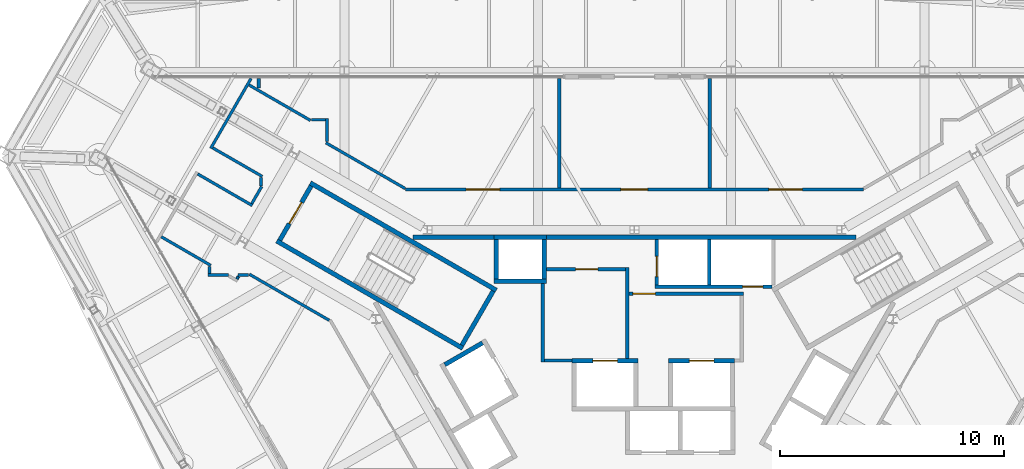
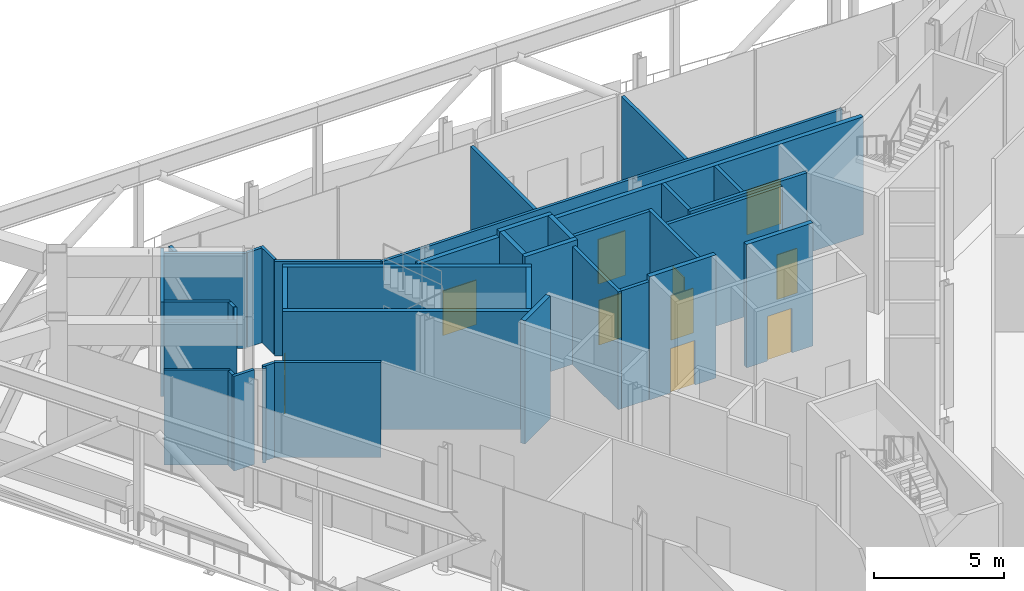
# One storey, part 16 of 24: 40 walls, 10 doors, 10 openings.
"""IFC4 building model written with IfcOpenShell, lengths in metres."""

from ifc_helpers import new_model, si_unit, direction, frame, frame_2d, origin, place, context, subcontext, project, spatial, rectangle, extrude, material, layer, layer_set, type_object, element, fill, save


model = new_model("IFC4")

# Units and contexts
model_context = context("Model", 3, precision=1e-05, world=origin(), true_north=direction((0.0, 1.0)))
body_context = subcontext(model_context, "Body", "Model", "MODEL_VIEW")
ifc_project = project(units=[si_unit("LENGTHUNIT", "METRE"), si_unit("AREAUNIT", "SQUARE_METRE"), si_unit("VOLUMEUNIT", "CUBIC_METRE"), si_unit("PLANEANGLEUNIT", "RADIAN"), si_unit("MASSUNIT", "GRAM", prefix="KILO")], contexts=[model_context])

# Site, building, storey
site_placement = place(None, origin())
site = spatial("IfcSite", under=ifc_project, at=site_placement, CompositionType="ELEMENT")
building_placement = place(site_placement, origin())
building = spatial("IfcBuilding", under=site, at=building_placement, Name="Verrane Prism Tower", CompositionType="ELEMENT")
storey_placement = place(building_placement, frame((0.0, 0.0, 200.60009765625)))
storey = spatial("IfcBuildingStorey", under=building, at=storey_placement, Name="L50", CompositionType="ELEMENT", Elevation=200.60009765625)

# Walls
ifc_material_1 = material(Name="Gypsum board partition", Category="other")
ifc_layer_1 = layer(ifc_material_1, 0.199951171875)
ifc_layer_set_1 = layer_set([ifc_layer_1], Name="CW-200 core boundary wall 2 h")
wall_type_1 = type_object("IfcWallType", Name="CW-200 core boundary wall 2 h", PredefinedType="PARTITIONING", material=ifc_layer_set_1)
wall_1_placement = place(storey_placement, frame((-9.907958984375, 7.659912109375, 0.0), z_axis=(0.0, 0.0, 1.0), x_axis=(1.0, 0.0, 0.0)))
element("IfcWall", 1, at=wall_1_placement, inside=storey, type_object=wall_type_1, Name="Core boundary wall CW3-002", PredefinedType="PARTITIONING", context=body_context, shape_type="SweptSolid", body=[
    extrude(rectangle(XDim=3.620849609375, YDim=0.199951171875, at=frame_2d((1.810546875, 0.0))), origin(), (0.0, 0.0, 1.0), 5.5498046875),
])
wall_2_placement = place(storey_placement, frame((-3.93310546875, 7.659912109375, 0.0), z_axis=(0.0, 0.0, 1.0), x_axis=(1.0, 0.0, 0.0)))
element("IfcWall", 2, at=wall_2_placement, inside=storey, type_object=wall_type_1, Name="Core boundary wall CW3-005", PredefinedType="PARTITIONING", context=body_context, shape_type="SweptSolid", body=[
    extrude(rectangle(XDim=13.841064453125, YDim=0.199951171875, at=frame_2d((6.92041015625, 0.0))), origin(), (0.0, 0.0, 1.0), 5.5498046875),
])

# Wall, opening, door
ifc_material_2 = material(Name="Concrete C40/50", Category="concrete")
ifc_layer_2 = layer(ifc_material_2, 0.199951171875)
ifc_layer_set_2 = layer_set([ifc_layer_2], Name="CW-200 stair core wall concrete C40/50 3 h")
wall_type_2 = type_object("IfcWallType", Name="CW-200 stair core wall concrete C40/50 3 h", PredefinedType="PARTITIONING", material=ifc_layer_set_2)
wall_3_placement = place(storey_placement, frame((-14.455322265625, 9.96240234375, 0.0), z_axis=(0.0, 0.0, 1.0), x_axis=(-0.500049511043, -0.865996816683, 0.0)))
wall_3 = element("IfcWall", 3, at=wall_3_placement, inside=storey, type_object=wall_type_2, Name="Stair 2 enclosure wall", PredefinedType="PARTITIONING", context=body_context, shape_type="SweptSolid", body=[
    extrude(rectangle(XDim=2.800048828125, YDim=0.199951171875, at=frame_2d((1.39990234375, 0.0))), origin(), (0.0, 0.0, 1.0), 5.5498046875),
])
opening_1_placement = place(wall_3_placement, frame((0.849853515625, 0.0, 0.0)))
opening_1 = element("IfcOpeningElement", 4, at=opening_1_placement, cuts=wall_3, Name="Opening D50501", PredefinedType="OPENING", context=body_context, shape_type="SweptSolid", body=[
    extrude(rectangle(XDim=1.10009765625, YDim=2.10009765625, at=frame_2d((0.550048828125, 1.050048828125))), frame((0.0, 0.10986328125, 0.0), z_axis=(0.0, -1.0, 0.0), x_axis=(1.0, 0.0, 0.0)), (0.0, 0.0, 1.0), 0.219970703125),
])
ifc_material_3 = material(Name="Timber veneered door leaf", Category="wood")
door_type_1 = type_object("IfcDoorType", Name="DR-1100x2100 FD90 single leaf stair", OperationType="NOTDEFINED", PredefinedType="DOOR", material=ifc_material_3)
door_1_placement = place(opening_1_placement, origin())
door_1 = element("IfcDoor", 5, at=door_1_placement, inside=storey, type_object=door_type_1, Name="Stair 2 door", OperationType="SINGLE_SWING_RIGHT", OverallHeight=2.10009765625, OverallWidth=1.10009765625, PredefinedType="DOOR", context=body_context, shape_type="SweptSolid", body=[
    extrude(rectangle(XDim=1.10009765625, YDim=2.10009765625, at=frame_2d((0.550048828125, 1.050048828125))), frame((0.0, 0.02490234375, 0.0), z_axis=(0.0, -1.0, 0.0), x_axis=(1.0, 0.0, 0.0)), (0.0, 0.0, 1.0), 0.050048828125),
])
fill(opening_1, door_1)

# Walls
for number, where, z_axis, x_axis, name in (
    (6, (-7.67822265625, 2.700927734375, 0.0), (0.0, 0.0, 1.0), (-0.866019993635, 0.500009370536, 0.0), "Stair 2 enclosure wall"),
    (7, (-6.17822265625, 5.299072265625, 0.0), (0.0, 0.0, 1.0), (-0.866019993635, 0.500009370536, 0.0), "Stair 2 enclosure wall"),
):
    element("IfcWall", number, at=place(storey_placement, frame(where, z_axis=z_axis, x_axis=x_axis)), inside=storey, type_object=wall_type_2, Name=name, PredefinedType="PARTITIONING", context=body_context, shape_type="SweptSolid", body=[
        extrude(rectangle(XDim=9.599853515625, YDim=0.199951171875, at=frame_2d((4.7998046875, 0.0))), origin(), (0.0, 0.0, 1.0), 5.5498046875),
    ])
wall_4_placement = place(storey_placement, frame((-6.314697265625, 5.262451171875, 0.0), z_axis=(0.0, 0.0, 1.0), x_axis=(-0.500049511043, -0.865996816683, 0.0)))
element("IfcWall", 8, at=wall_4_placement, inside=storey, type_object=wall_type_2, Name="Stair 2 enclosure wall", PredefinedType="PARTITIONING", context=body_context, shape_type="SweptSolid", body=[
    extrude(rectangle(XDim=2.800048828125, YDim=0.199951171875, at=frame_2d((1.39990234375, 0.0))), origin(), (0.0, 0.0, 1.0), 5.5498046875),
])

# Wall, opening, door
ifc_material_4 = material(Name="Gypsum board shaft wall assembly", Category="other")
ifc_layer_3 = layer(ifc_material_4, 0.199951171875)
ifc_layer_set_3 = layer_set([ifc_layer_3], Name="HW-200 lift shaft wall 2 h")
wall_type_3 = type_object("IfcWallType", Name="HW-200 lift shaft wall 2 h", PredefinedType="PARTITIONING", material=ifc_layer_set_3)
wall_5_placement = place(storey_placement, frame((-2.784912109375, 2.14990234375, 0.0), z_axis=(0.0, 0.0, 1.0), x_axis=(1.0, 0.0, 0.0)))
wall_5 = element("IfcWall", 9, at=wall_5_placement, inside=storey, type_object=wall_type_3, Name="Lift shaft wall", PredefinedType="PARTITIONING", context=body_context, shape_type="SweptSolid", body=[
    extrude(rectangle(XDim=2.949951171875, YDim=0.199951171875, at=frame_2d((1.47509765625, 0.0))), origin(), (0.0, 0.0, 1.0), 5.7998046875),
])
opening_2_placement = place(wall_5_placement, frame((0.925048828125, 0.0, 0.0)))
opening_2 = element("IfcOpeningElement", 10, at=opening_2_placement, cuts=wall_5, Name="Opening D50507", PredefinedType="OPENING", context=body_context, shape_type="SweptSolid", body=[
    extrude(rectangle(XDim=1.10009765625, YDim=2.10009765625, at=frame_2d((0.550048828125, 1.050048828125))), frame((0.0, 0.10986328125, 0.0), z_axis=(0.0, -1.0, 0.0), x_axis=(1.0, 0.0, 0.0)), (0.0, 0.0, 1.0), 0.219970703125),
])
ifc_material_5 = material(Name="Stainless steel sliding landing door", Category="steel")
door_type_2 = type_object("IfcDoorType", Name="LD-1100x2100 lift landing door FD90 sliding", OperationType="NOTDEFINED", PredefinedType="DOOR", material=ifc_material_5)
door_2_placement = place(opening_2_placement, origin())
door_2 = element("IfcDoor", 11, at=door_2_placement, inside=storey, type_object=door_type_2, Name="Fire service lift 1 landing door", OperationType="SLIDING_TO_LEFT", OverallHeight=2.10009765625, OverallWidth=1.10009765625, PredefinedType="DOOR", context=body_context, shape_type="SweptSolid", body=[
    extrude(rectangle(XDim=1.10009765625, YDim=2.10009765625, at=frame_2d((0.550048828125, 1.050048828125))), frame((0.0, 0.02490234375, 0.0), z_axis=(0.0, -1.0, 0.0), x_axis=(1.0, 0.0, 0.0)), (0.0, 0.0, 1.0), 0.050048828125),
])
fill(opening_2, door_2)

wall_6_placement = place(storey_placement, frame((1.52490234375, 2.14990234375, 0.0), z_axis=(0.0, 0.0, 1.0), x_axis=(1.0, 0.0, 0.0)))
wall_6 = element("IfcWall", 12, at=wall_6_placement, inside=storey, type_object=wall_type_3, Name="Lift shaft wall", PredefinedType="PARTITIONING", context=body_context, shape_type="SweptSolid", body=[
    extrude(rectangle(XDim=2.9501953125, YDim=0.199951171875, at=frame_2d((1.47509765625, 0.0))), origin(), (0.0, 0.0, 1.0), 5.7998046875),
])
opening_3_placement = place(wall_6_placement, frame((0.925048828125, 0.0, 0.0)))
opening_3 = element("IfcOpeningElement", 13, at=opening_3_placement, cuts=wall_6, Name="Opening D50508", PredefinedType="OPENING", context=body_context, shape_type="SweptSolid", body=[
    extrude(rectangle(XDim=1.10009765625, YDim=2.10009765625, at=frame_2d((0.550048828125, 1.050048828125))), frame((0.0, 0.10986328125, 0.0), z_axis=(0.0, -1.0, 0.0), x_axis=(1.0, 0.0, 0.0)), (0.0, 0.0, 1.0), 0.219970703125),
])
door_3_placement = place(opening_3_placement, origin())
door_3 = element("IfcDoor", 14, at=door_3_placement, inside=storey, type_object=door_type_2, Name="Fire service lift 2 landing door", OperationType="SLIDING_TO_RIGHT", OverallHeight=2.10009765625, OverallWidth=1.10009765625, PredefinedType="DOOR", context=body_context, shape_type="SweptSolid", body=[
    extrude(rectangle(XDim=1.10009765625, YDim=2.10009765625, at=frame_2d((0.550048828125, 1.050048828125))), frame((0.0, 0.02490234375, 0.0), z_axis=(0.0, -1.0, 0.0), x_axis=(1.0, 0.0, 0.0)), (0.0, 0.0, 1.0), 0.050048828125),
])
fill(opening_3, door_3)

# Walls
for number, where, z_axis, x_axis, name in (
    (15, (-6.284912109375, 5.7099609375, 0.0), (0.0, 0.0, 1.0), (1.0, 0.0, 0.0), "Lift shaft wall"),
    (16, (-6.284912109375, 7.659912109375, 0.0), (0.0, 0.0, 1.0), (1.0, 0.0, 0.0), "Lift shaft wall"),
):
    element("IfcWall", number, at=place(storey_placement, frame(where, z_axis=z_axis, x_axis=x_axis)), inside=storey, type_object=wall_type_3, Name=name, PredefinedType="PARTITIONING", context=body_context, shape_type="SweptSolid", body=[
        extrude(rectangle(XDim=2.349853515625, YDim=0.199951171875, at=frame_2d((1.1748046875, 0.0))), origin(), (0.0, 0.0, 1.0), 5.7998046875),
    ])
wall_7_placement = place(storey_placement, frame((-8.48046875, 1.968505859375, 0.0), z_axis=(0.0, 0.0, 1.0), x_axis=(0.866000020948, 0.500043961785, 0.0)))
element("IfcWall", 17, at=wall_7_placement, inside=storey, type_object=wall_type_3, Name="Lift shaft wall", PredefinedType="PARTITIONING", context=body_context, shape_type="SweptSolid", body=[
    extrude(rectangle(XDim=1.949951171875, YDim=0.199951171875, at=frame_2d((0.97509765625, 0.0))), origin(), (0.0, 0.0, 1.0), 5.7998046875),
])
for number, where, z_axis, x_axis, name in (
    (18, (-4.034912109375, 5.81005859375, 0.0), (0.0, 0.0, 1.0), (0.0, 1.0, 0.0), "Lift shaft wall"),
    (19, (-6.18505859375, 5.81005859375, 0.0), (0.0, 0.0, 1.0), (0.0, 1.0, 0.0), "Lift shaft wall"),
):
    element("IfcWall", number, at=place(storey_placement, frame(where, z_axis=z_axis, x_axis=x_axis)), inside=storey, type_object=wall_type_3, Name=name, PredefinedType="PARTITIONING", context=body_context, shape_type="SweptSolid", body=[
        extrude(rectangle(XDim=1.75, YDim=0.199951171875, at=frame_2d((0.875, 0.0))), origin(), (0.0, 0.0, 1.0), 5.7998046875),
    ])
ifc_material_6 = material(Name="Gypsum board partition", Category="other")
ifc_layer_4 = layer(ifc_material_6, 0.14990234375)
ifc_layer_set_4 = layer_set([ifc_layer_4], Name="LF-150 firefighting lobby wall 1 h")
wall_type_4 = type_object("IfcWallType", Name="LF-150 firefighting lobby wall 1 h", PredefinedType="PARTITIONING", material=ifc_layer_set_4)
wall_8_placement = place(storey_placement, frame((-4.10009765625, 2.0849609375, 0.0), z_axis=(0.0, 0.0, 1.0), x_axis=(0.0, 1.0, 0.0)))
element("IfcWall", 20, at=wall_8_placement, inside=storey, type_object=wall_type_4, Name="Firefighting lobby wall LF1-001", PredefinedType="PARTITIONING", context=body_context, shape_type="SweptSolid", body=[
    extrude(rectangle(XDim=3.52294921875, YDim=0.14990234375, at=frame_2d((1.761474609375, 0.0))), origin(), (0.0, 0.0, 1.0), 5.5498046875),
])
wall_9_placement = place(storey_placement, frame((-4.02490234375, 2.159912109375, 0.0), z_axis=(0.0, 0.0, 1.0), x_axis=(1.0, 0.0, 0.0)))
element("IfcWall", 21, at=wall_9_placement, inside=storey, type_object=wall_type_4, Name="Firefighting lobby wall LF1-002", PredefinedType="PARTITIONING", context=body_context, shape_type="SweptSolid", body=[
    extrude(rectangle(XDim=1.23779296875, YDim=0.14990234375, at=frame_2d((0.618896484375, 0.0))), origin(), (0.0, 0.0, 1.0), 5.5498046875),
])

# Wall, opening, door
wall_10_placement = place(storey_placement, frame((-3.93310546875, 6.239990234375, 0.0), z_axis=(0.0, 0.0, 1.0), x_axis=(1.0, 0.0, 0.0)))
wall_10 = element("IfcWall", 22, at=wall_10_placement, inside=storey, type_object=wall_type_4, Name="Firefighting lobby wall LF1-003", PredefinedType="PARTITIONING", context=body_context, shape_type="SweptSolid", body=[
    extrude(rectangle(XDim=3.5380859375, YDim=0.14990234375, at=frame_2d((1.76904296875, 0.0))), origin(), (0.0, 0.0, 1.0), 5.5498046875),
])
opening_4_placement = place(wall_10_placement, frame((1.300048828125, 0.0, 0.0)))
opening_4 = element("IfcOpeningElement", 23, at=opening_4_placement, cuts=wall_10, Name="Opening D50511", PredefinedType="OPENING", context=body_context, shape_type="SweptSolid", body=[
    extrude(rectangle(XDim=1.0, YDim=2.10009765625, at=frame_2d((0.5, 1.050048828125))), frame((0.0, 0.0849609375, 0.0), z_axis=(0.0, -1.0, 0.0), x_axis=(1.0, 0.0, 0.0)), (0.0, 0.0, 1.0), 0.169921875),
])
ifc_material_7 = material(Name="Timber veneered door leaf", Category="wood")
door_type_3 = type_object("IfcDoorType", Name="DR-1000x2100 FD60 single leaf firefighting lobby", OperationType="NOTDEFINED", PredefinedType="DOOR", material=ifc_material_7)
door_4_placement = place(opening_4_placement, origin())
door_4 = element("IfcDoor", 24, at=door_4_placement, inside=storey, type_object=door_type_3, Name="Firefighting lobby door D50511", OperationType="SINGLE_SWING_LEFT", OverallHeight=2.10009765625, OverallWidth=1.0, PredefinedType="DOOR", context=body_context, shape_type="SweptSolid", body=[
    extrude(rectangle(XDim=1.0, YDim=2.10009765625, at=frame_2d((0.5, 1.050048828125))), frame((0.0, 0.02490234375, 0.0), z_axis=(0.0, -1.0, 0.0), x_axis=(1.0, 0.0, 0.0)), (0.0, 0.0, 1.0), 0.050048828125),
])
fill(opening_4, door_4)

# Wall
wall_11_placement = place(storey_placement, frame((-0.320068359375, 2.251953125, 0.0), z_axis=(0.0, 0.0, 1.0), x_axis=(0.0, 1.0, 0.0)))
element("IfcWall", 25, at=wall_11_placement, inside=storey, type_object=wall_type_4, Name="Firefighting lobby wall LF1-004", PredefinedType="PARTITIONING", context=body_context, shape_type="SweptSolid", body=[
    extrude(rectangle(XDim=4.06298828125, YDim=0.14990234375, at=frame_2d((2.031494140625, 0.0))), origin(), (0.0, 0.0, 1.0), 5.5498046875),
])

# Wall, opening, door
wall_12_placement = place(storey_placement, frame((-0.2451171875, 5.139892578125, 0.0), z_axis=(0.0, 0.0, 1.0), x_axis=(1.0, 0.0, 0.0)))
wall_12 = element("IfcWall", 26, at=wall_12_placement, inside=storey, type_object=wall_type_4, Name="Firefighting lobby wall LF1-005", PredefinedType="PARTITIONING", context=body_context, shape_type="SweptSolid", body=[
    extrude(rectangle(XDim=5.110107421875, YDim=0.14990234375, at=frame_2d((2.55517578125, 0.0))), origin(), (0.0, 0.0, 1.0), 5.5498046875),
])
opening_5_placement = place(wall_12_placement, frame((0.175048828125, 0.0, 0.0)))
opening_5 = element("IfcOpeningElement", 27, at=opening_5_placement, cuts=wall_12, Name="Opening D50513", PredefinedType="OPENING", context=body_context, shape_type="SweptSolid", body=[
    extrude(rectangle(XDim=1.0, YDim=2.10009765625, at=frame_2d((0.5, 1.050048828125))), frame((0.0, 0.0849609375, 0.0), z_axis=(0.0, -1.0, 0.0), x_axis=(1.0, 0.0, 0.0)), (0.0, 0.0, 1.0), 0.169921875),
])
door_5_placement = place(opening_5_placement, origin())
door_5 = element("IfcDoor", 28, at=door_5_placement, inside=storey, type_object=door_type_3, Name="Firefighting lobby door D50513", OperationType="SINGLE_SWING_LEFT", OverallHeight=2.10009765625, OverallWidth=1.0, PredefinedType="DOOR", context=body_context, shape_type="SweptSolid", body=[
    extrude(rectangle(XDim=1.0, YDim=2.10009765625, at=frame_2d((0.5, 1.050048828125))), frame((0.0, 0.02490234375, 0.0), z_axis=(0.0, -1.0, 0.0), x_axis=(1.0, 0.0, 0.0)), (0.0, 0.0, 1.0), 0.050048828125),
])
fill(opening_5, door_5)

# Walls
ifc_material_8 = material(Name="Gypsum board partition", Category="other")
ifc_layer_5 = layer(ifc_material_8, 0.125)
ifc_layer_set_5 = layer_set([ifc_layer_5], Name="PW-125 corridor wall 1 h")
wall_type_5 = type_object("IfcWallType", Name="PW-125 corridor wall 1 h", PredefinedType="PARTITIONING", material=ifc_layer_set_5)
wall_13_placement = place(storey_placement, frame((-21.15478515625, 7.689453125, 0.0), z_axis=(0.0, 0.0, 1.0), x_axis=(0.865299783161, -0.501254710961, 0.0)))
element("IfcWall", 29, at=wall_13_placement, inside=storey, type_object=wall_type_5, Name="Corridor wall 002", PredefinedType="PARTITIONING", context=body_context, shape_type="SweptSolid", body=[
    extrude(rectangle(XDim=2.55517578125, YDim=0.125, at=frame_2d((1.277587890625, 0.0))), origin(), (0.0, 0.0, 1.0), 4.4619140625),
])
wall_14_placement = place(storey_placement, frame((-19.52783203125, 10.49755859375, 0.0), z_axis=(0.0, 0.0, 1.0), x_axis=(0.865499315081, -0.500910107299, 0.0)))
element("IfcWall", 30, at=wall_14_placement, inside=storey, type_object=wall_type_5, Name="Corridor wall 003", PredefinedType="PARTITIONING", context=body_context, shape_type="SweptSolid", body=[
    extrude(rectangle(XDim=2.822509765625, YDim=0.125, at=frame_2d((1.4111328125, 0.0))), origin(), (0.0, 0.0, 1.0), 4.4619140625),
])
wall_15_placement = place(storey_placement, frame((-18.998046875, 6.047119140625, 0.0), z_axis=(0.0, 0.0, 1.0), x_axis=(0.0, 1.0, 0.0)))
element("IfcWall", 31, at=wall_15_placement, inside=storey, type_object=wall_type_5, Name="Corridor wall 004", PredefinedType="PARTITIONING", context=body_context, shape_type="SweptSolid", body=[
    extrude(rectangle(XDim=0.307861328125, YDim=0.125, at=frame_2d((0.15380859375, 0.0))), origin(), (0.0, 0.0, 1.0), 4.4619140625),
])
wall_16_placement = place(storey_placement, frame((-19.060546875, 5.98193359375, 0.0), z_axis=(0.0, 0.0, 1.0), x_axis=(1.0, 0.0, 0.0)))
element("IfcWall", 32, at=wall_16_placement, inside=storey, type_object=wall_type_5, Name="Corridor wall 005", PredefinedType="PARTITIONING", context=body_context, shape_type="SweptSolid", body=[
    extrude(rectangle(XDim=0.9150390625, YDim=0.125, at=frame_2d((0.45751953125, 0.0))), origin(), (0.0, 0.0, 1.0), 4.4619140625),
])
wall_17_placement = place(storey_placement, frame((-18.943115234375, 11.640869140625, 0.0), z_axis=(0.0, 0.0, 1.0), x_axis=(0.499517355343, 0.866303879543, 0.0)))
element("IfcWall", 33, at=wall_17_placement, inside=storey, type_object=wall_type_5, Name="Corridor wall 006", PredefinedType="PARTITIONING", context=body_context, shape_type="SweptSolid", body=[
    extrude(rectangle(XDim=3.60693359375, YDim=0.125, at=frame_2d((1.803466796875, 0.0))), origin(), (0.0, 0.0, 1.0), 4.4619140625),
])
wall_18_placement = place(storey_placement, frame((-18.855712890625, 11.66259765625, 0.0), z_axis=(0.0, 0.0, 1.0), x_axis=(0.866389293917, -0.499369193469, 0.0)))
element("IfcWall", 34, at=wall_18_placement, inside=storey, type_object=wall_type_5, Name="Corridor wall 007", PredefinedType="PARTITIONING", context=body_context, shape_type="SweptSolid", body=[
    extrude(rectangle(XDim=2.552978515625, YDim=0.125, at=frame_2d((1.2763671875, 0.0))), origin(), (0.0, 0.0, 1.0), 4.4619140625),
])
wall_19_placement = place(storey_placement, frame((-17.771484375, 5.80419921875, 0.0), z_axis=(0.0, 0.0, 1.0), x_axis=(0.499195341736, 0.86648947529, 0.0)))
element("IfcWall", 35, at=wall_19_placement, inside=storey, type_object=wall_type_5, Name="Corridor wall 009", PredefinedType="PARTITIONING", context=body_context, shape_type="SweptSolid", body=[
    extrude(rectangle(XDim=0.120361328125, YDim=0.125, at=frame_2d((0.06005859375, 0.0))), origin(), (0.0, 0.0, 1.0), 4.4619140625),
])
wall_20_placement = place(storey_placement, frame((-17.7314453125, 5.98193359375, 0.0), z_axis=(0.0, 0.0, 1.0), x_axis=(1.0, 0.0, 0.0)))
element("IfcWall", 36, at=wall_20_placement, inside=storey, type_object=wall_type_5, Name="Corridor wall 010", PredefinedType="PARTITIONING", context=body_context, shape_type="SweptSolid", body=[
    extrude(rectangle(XDim=0.4853515625, YDim=0.125, at=frame_2d((0.24267578125, 0.0))), origin(), (0.0, 0.0, 1.0), 4.4619140625),
])
wall_21_placement = place(storey_placement, frame((-17.233642578125, 14.4755859375, 0.0), z_axis=(0.0, 0.0, 1.0), x_axis=(0.866156179635, -0.499773421142, 0.0)))
element("IfcWall", 37, at=wall_21_placement, inside=storey, type_object=wall_type_5, Name="Corridor wall 011", PredefinedType="PARTITIONING", context=body_context, shape_type="SweptSolid", body=[
    extrude(rectangle(XDim=3.17919921875, YDim=0.125, at=frame_2d((1.589599609375, 0.0))), origin(), (0.0, 0.0, 1.0), 4.4619140625),
])
wall_22_placement = place(storey_placement, frame((-17.215087890625, 6.01318359375, 0.0), z_axis=(0.0, 0.0, 1.0), x_axis=(0.866031617834, -0.499989236795, 0.0)))
element("IfcWall", 38, at=wall_22_placement, inside=storey, type_object=wall_type_5, Name="Corridor wall 012", PredefinedType="PARTITIONING", context=body_context, shape_type="SweptSolid", body=[
    extrude(rectangle(XDim=4.119140625, YDim=0.125, at=frame_2d((2.0595703125, 0.0))), origin(), (0.0, 0.0, 1.0), 4.4619140625),
])
wall_23_placement = place(storey_placement, frame((-17.1064453125, 9.17138671875, 0.0), z_axis=(0.0, 0.0, 1.0), x_axis=(0.500411837378, 0.865787498762, 0.0)))
element("IfcWall", 39, at=wall_23_placement, inside=storey, type_object=wall_type_5, Name="Corridor wall 013", PredefinedType="PARTITIONING", context=body_context, shape_type="SweptSolid", body=[
    extrude(rectangle(XDim=0.878662109375, YDim=0.125, at=frame_2d((0.439453125, 0.0))), origin(), (0.0, 0.0, 1.0), 4.4619140625),
])
wall_24_placement = place(storey_placement, frame((-16.697998046875, 9.962890625, 0.0), z_axis=(0.0, 0.0, 1.0), x_axis=(0.0, 1.0, 0.0)))
element("IfcWall", 40, at=wall_24_placement, inside=storey, type_object=wall_type_5, Name="Corridor wall 015", PredefinedType="PARTITIONING", context=body_context, shape_type="SweptSolid", body=[
    extrude(rectangle(XDim=0.37109375, YDim=0.125, at=frame_2d((0.185546875, 0.0))), origin(), (0.0, 0.0, 1.0), 4.4619140625),
])
wall_25_placement = place(storey_placement, frame((-14.448974609375, 12.91796875, 0.0), z_axis=(0.0, 0.0, 1.0), x_axis=(1.0, 0.0, 0.0)))
element("IfcWall", 41, at=wall_25_placement, inside=storey, type_object=wall_type_5, Name="Corridor wall 016", PredefinedType="PARTITIONING", context=body_context, shape_type="SweptSolid", body=[
    extrude(rectangle(XDim=0.64208984375, YDim=0.125, at=frame_2d((0.321044921875, 0.0))), origin(), (0.0, 0.0, 1.0), 4.4619140625),
])
wall_26_placement = place(storey_placement, frame((-13.741943359375, 11.945068359375, 0.0), z_axis=(0.0, 0.0, 1.0), x_axis=(0.0, 1.0, 0.0)))
element("IfcWall", 42, at=wall_26_placement, inside=storey, type_object=wall_type_5, Name="Corridor wall 017", PredefinedType="PARTITIONING", context=body_context, shape_type="SweptSolid", body=[
    extrude(rectangle(XDim=1.035400390625, YDim=0.125, at=frame_2d((0.517578125, 0.0))), origin(), (0.0, 0.0, 1.0), 4.4619140625),
])
wall_27_placement = place(storey_placement, frame((-13.796142578125, 11.891357421875, 0.0), z_axis=(0.0, 0.0, 1.0), x_axis=(0.866019886808, -0.500009555562, 0.0)))
element("IfcWall", 43, at=wall_27_placement, inside=storey, type_object=wall_type_5, Name="Corridor wall 018", PredefinedType="PARTITIONING", context=body_context, shape_type="SweptSolid", body=[
    extrude(rectangle(XDim=4.09765625, YDim=0.125, at=frame_2d((2.048828125, 0.0))), origin(), (0.0, 0.0, 1.0), 4.4619140625),
])

# Wall, openings, doors
wall_28_placement = place(storey_placement, frame((-10.236572265625, 9.800048828125, 0.0), z_axis=(0.0, 0.0, 1.0), x_axis=(1.0, 0.0, 0.0)))
wall_28 = element("IfcWall", 44, at=wall_28_placement, inside=storey, type_object=wall_type_5, Name="Corridor wall 021", PredefinedType="PARTITIONING", context=body_context, shape_type="SweptSolid", body=[
    extrude(rectangle(XDim=20.47314453125, YDim=0.125, at=frame_2d((10.236572265625, 0.0))), origin(), (0.0, 0.0, 1.0), 4.4619140625),
])
opening_6_placement = place(wall_28_placement, frame((16.24560546875, 0.0, 0.0)))
opening_6 = element("IfcOpeningElement", 45, at=opening_6_placement, cuts=wall_28, Name="Opening D50001", PredefinedType="OPENING", context=body_context, shape_type="SweptSolid", body=[
    extrude(rectangle(XDim=1.5, YDim=2.10009765625, at=frame_2d((0.75, 1.050048828125))), frame((0.0, 0.072509765625, 0.0), z_axis=(0.0, -1.0, 0.0), x_axis=(1.0, 0.0, 0.0)), (0.0, 0.0, 1.0), 0.14501953125),
])
opening_7_placement = place(wall_28_placement, frame((9.62744140625, 0.0, 0.0)))
opening_7 = element("IfcOpeningElement", 46, at=opening_7_placement, cuts=wall_28, Name="Opening D50002", PredefinedType="OPENING", context=body_context, shape_type="SweptSolid", body=[
    extrude(rectangle(XDim=1.199951171875, YDim=2.10009765625, at=frame_2d((0.60009765625, 1.050048828125))), frame((0.0, 0.072509765625, 0.0), z_axis=(0.0, -1.0, 0.0), x_axis=(1.0, 0.0, 0.0)), (0.0, 0.0, 1.0), 0.14501953125),
])
opening_8_placement = place(wall_28_placement, frame((2.71240234375, 0.0, 0.0)))
opening_8 = element("IfcOpeningElement", 47, at=opening_8_placement, cuts=wall_28, Name="Opening D50003", PredefinedType="OPENING", context=body_context, shape_type="SweptSolid", body=[
    extrude(rectangle(XDim=1.5, YDim=2.10009765625, at=frame_2d((0.75, 1.050048828125))), frame((0.0, 0.072509765625, 0.0), z_axis=(0.0, -1.0, 0.0), x_axis=(1.0, 0.0, 0.0)), (0.0, 0.0, 1.0), 0.14501953125),
])
ifc_material_9 = material(Name="Timber veneered door leaf", Category="wood")
door_type_4 = type_object("IfcDoorType", Name="DR-1200x2100 FD60 single leaf unit", OperationType="NOTDEFINED", PredefinedType="DOOR", material=ifc_material_9)
door_6_placement = place(opening_7_placement, origin())
door_6 = element("IfcDoor", 48, at=door_6_placement, inside=storey, type_object=door_type_4, Name="Pump Room door", OperationType="SINGLE_SWING_RIGHT", OverallHeight=2.10009765625, OverallWidth=1.199951171875, PredefinedType="DOOR", context=body_context, shape_type="SweptSolid", body=[
    extrude(rectangle(XDim=1.199951171875, YDim=2.10009765625, at=frame_2d((0.60009765625, 1.050048828125))), frame((0.0, 0.02490234375, 0.0), z_axis=(0.0, -1.0, 0.0), x_axis=(1.0, 0.0, 0.0)), (0.0, 0.0, 1.0), 0.050048828125),
])
fill(opening_7, door_6)
ifc_material_10 = material(Name="Timber veneered door leaf", Category="wood")
door_type_5 = type_object("IfcDoorType", Name="DR-1500x2100 FD60 double leaf unit", OperationType="NOTDEFINED", PredefinedType="DOOR", material=ifc_material_10)
door_7_placement = place(opening_6_placement, origin())
door_7 = element("IfcDoor", 49, at=door_7_placement, inside=storey, type_object=door_type_5, Name="Mechanical Plant Room door", OperationType="DOUBLE_DOOR_SINGLE_SWING", OverallHeight=2.10009765625, OverallWidth=1.5, PredefinedType="DOOR", context=body_context, shape_type="SweptSolid", body=[
    extrude(rectangle(XDim=1.5, YDim=2.10009765625, at=frame_2d((0.75, 1.050048828125))), frame((0.0, 0.02490234375, 0.0), z_axis=(0.0, -1.0, 0.0), x_axis=(1.0, 0.0, 0.0)), (0.0, 0.0, 1.0), 0.050048828125),
])
fill(opening_6, door_7)
door_8_placement = place(opening_8_placement, origin())
door_8 = element("IfcDoor", 50, at=door_8_placement, inside=storey, type_object=door_type_5, Name="Mechanical Plant Room door", OperationType="DOUBLE_DOOR_SINGLE_SWING", OverallHeight=2.10009765625, OverallWidth=1.5, PredefinedType="DOOR", context=body_context, shape_type="SweptSolid", body=[
    extrude(rectangle(XDim=1.5, YDim=2.10009765625, at=frame_2d((0.75, 1.050048828125))), frame((0.0, 0.02490234375, 0.0), z_axis=(0.0, -1.0, 0.0), x_axis=(1.0, 0.0, 0.0)), (0.0, 0.0, 1.0), 0.050048828125),
])
fill(opening_8, door_8)

# Walls
ifc_material_11 = material(Name="Gypsum board partition", Category="other")
ifc_layer_6 = layer(ifc_material_11, 0.14990234375)
ifc_layer_set_6 = layer_set([ifc_layer_6], Name="PW-150 demising wall 1 h")
wall_type_6 = type_object("IfcWallType", Name="PW-150 demising wall 1 h", PredefinedType="PARTITIONING", material=ifc_layer_set_6)
wall_29_placement = place(storey_placement, frame((-16.79296875, 14.33642578125, 0.0), z_axis=(0.0, 0.0, 1.0), x_axis=(0.0, 1.0, 0.0)))
element("IfcWall", 51, at=wall_29_placement, inside=storey, type_object=wall_type_6, Name="Demising wall 014", PredefinedType="PARTITIONING", context=body_context, shape_type="SweptSolid", body=[
    extrude(rectangle(XDim=0.41845703125, YDim=0.14990234375, at=frame_2d((0.209228515625, 0.0))), origin(), (0.0, 0.0, 1.0), 4.4619140625),
])
for number, where, z_axis, x_axis, name in (
    (52, (-3.35888671875, 9.862548828125, 0.0), (0.0, 0.0, 1.0), (0.0, 1.0, 0.0), "Demising wall 025"),
    (53, (3.35888671875, 9.862548828125, 0.0), (0.0, 0.0, 1.0), (0.0, 1.0, 0.0), "Demising wall 030"),
):
    element("IfcWall", number, at=place(storey_placement, frame(where, z_axis=z_axis, x_axis=x_axis)), inside=storey, type_object=wall_type_6, Name=name, PredefinedType="PARTITIONING", context=body_context, shape_type="SweptSolid", body=[
        extrude(rectangle(XDim=4.892333984375, YDim=0.14990234375, at=frame_2d((2.4462890625, 0.0))), origin(), (0.0, 0.0, 1.0), 4.4619140625),
    ])

# Wall, opening, door
ifc_material_12 = material(Name="Gypsum board partition", Category="other")
ifc_layer_7 = layer(ifc_material_12, 0.14990234375)
ifc_layer_set_7 = layer_set([ifc_layer_7], Name="RS-150 riser enclosure wall 1 h")
wall_type_7 = type_object("IfcWallType", Name="RS-150 riser enclosure wall 1 h", PredefinedType="PARTITIONING", material=ifc_layer_set_7)
wall_30_placement = place(storey_placement, frame((1.0, 7.56005859375, 0.0), z_axis=(0.0, 0.0, 1.0), x_axis=(0.0, -1.0, 0.0)))
wall_30 = element("IfcWall", 54, at=wall_30_placement, inside=storey, type_object=wall_type_7, Name="Riser wall RS3-003", PredefinedType="PARTITIONING", context=body_context, shape_type="SweptSolid", body=[
    extrude(rectangle(XDim=2.025146484375, YDim=0.14990234375, at=frame_2d((1.0126953125, 0.0))), origin(), (0.0, 0.0, 1.0), 5.5498046875),
])
opening_9_placement = place(wall_30_placement, frame((0.75, 0.0, 0.0)))
opening_9 = element("IfcOpeningElement", 55, at=opening_9_placement, cuts=wall_30, Name="Opening D50514", PredefinedType="OPENING", context=body_context, shape_type="SweptSolid", body=[
    extrude(rectangle(XDim=0.89990234375, YDim=2.10009765625, at=frame_2d((0.449951171875, 1.050048828125))), frame((0.0, 0.0849609375, 0.0), z_axis=(0.0, -1.0, 0.0), x_axis=(1.0, 0.0, 0.0)), (0.0, 0.0, 1.0), 0.169921875),
])
ifc_material_13 = material(Name="Timber veneered door leaf", Category="wood")
door_type_6 = type_object("IfcDoorType", Name="DR-900x2100 FD60 single leaf riser", OperationType="NOTDEFINED", PredefinedType="DOOR", material=ifc_material_13)
door_9_placement = place(opening_9_placement, origin())
door_9 = element("IfcDoor", 56, at=door_9_placement, inside=storey, type_object=door_type_6, Name="Riser door D50514", OperationType="SINGLE_SWING_RIGHT", OverallHeight=2.10009765625, OverallWidth=0.89990234375, PredefinedType="DOOR", context=body_context, shape_type="SweptSolid", body=[
    extrude(rectangle(XDim=0.89990234375, YDim=2.10009765625, at=frame_2d((0.449951171875, 1.050048828125))), frame((0.0, 0.02490234375, 0.0), z_axis=(0.0, -1.0, 0.0), x_axis=(1.0, 0.0, 0.0)), (0.0, 0.0, 1.0), 0.050048828125),
])
fill(opening_9, door_9)

wall_31_placement = place(storey_placement, frame((0.925048828125, 5.4599609375, 0.0), z_axis=(0.0, 0.0, 1.0), x_axis=(1.0, 0.0, 0.0)))
wall_31 = element("IfcWall", 57, at=wall_31_placement, inside=storey, type_object=wall_type_7, Name="Riser wall RS3-004", PredefinedType="PARTITIONING", context=body_context, shape_type="SweptSolid", body=[
    extrude(rectangle(XDim=5.219970703125, YDim=0.14990234375, at=frame_2d((2.60986328125, 0.0))), origin(), (0.0, 0.0, 1.0), 5.5498046875),
])
opening_10_placement = place(wall_31_placement, frame((3.9150390625, 0.0, 0.0)))
opening_10 = element("IfcOpeningElement", 58, at=opening_10_placement, cuts=wall_31, Name="Opening D50515", PredefinedType="OPENING", context=body_context, shape_type="SweptSolid", body=[
    extrude(rectangle(XDim=0.89990234375, YDim=2.10009765625, at=frame_2d((0.449951171875, 1.050048828125))), frame((0.0, 0.0849609375, 0.0), z_axis=(0.0, -1.0, 0.0), x_axis=(1.0, 0.0, 0.0)), (0.0, 0.0, 1.0), 0.169921875),
])
door_10_placement = place(opening_10_placement, origin())
door_10 = element("IfcDoor", 59, at=door_10_placement, inside=storey, type_object=door_type_6, Name="Riser door D50515", OperationType="SINGLE_SWING_RIGHT", OverallHeight=2.10009765625, OverallWidth=0.89990234375, PredefinedType="DOOR", context=body_context, shape_type="SweptSolid", body=[
    extrude(rectangle(XDim=0.89990234375, YDim=2.10009765625, at=frame_2d((0.449951171875, 1.050048828125))), frame((0.0, 0.02490234375, 0.0), z_axis=(0.0, -1.0, 0.0), x_axis=(1.0, 0.0, 0.0)), (0.0, 0.0, 1.0), 0.050048828125),
])
fill(opening_10, door_10)

# Wall
wall_32_placement = place(storey_placement, frame((3.340087890625, 5.534912109375, 0.0), z_axis=(0.0, 0.0, 1.0), x_axis=(0.0, 1.0, 0.0)))
element("IfcWall", 60, at=wall_32_placement, inside=storey, type_object=wall_type_7, Name="Riser wall RS3-005", PredefinedType="PARTITIONING", context=body_context, shape_type="SweptSolid", body=[
    extrude(rectangle(XDim=2.025146484375, YDim=0.14990234375, at=frame_2d((1.0126953125, 0.0))), origin(), (0.0, 0.0, 1.0), 5.5498046875),
])

save(model, "model.ifc")
